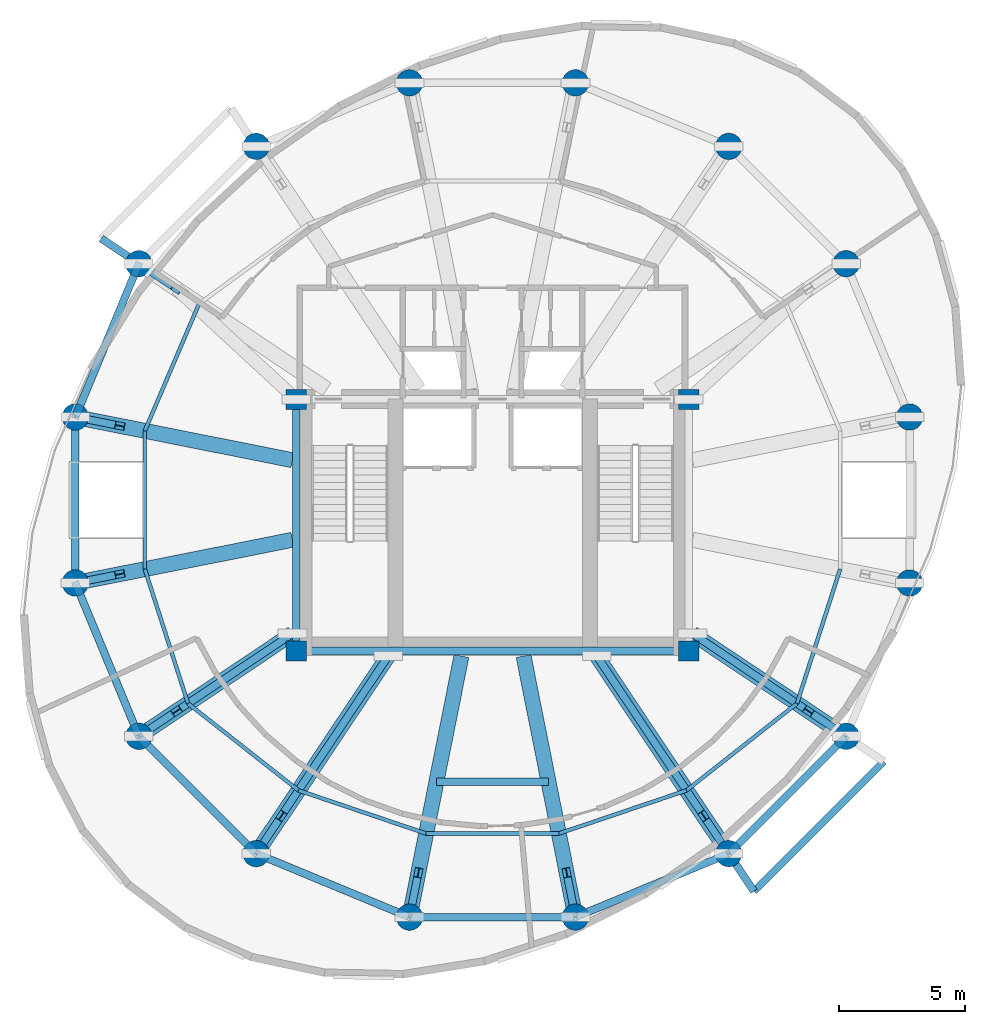
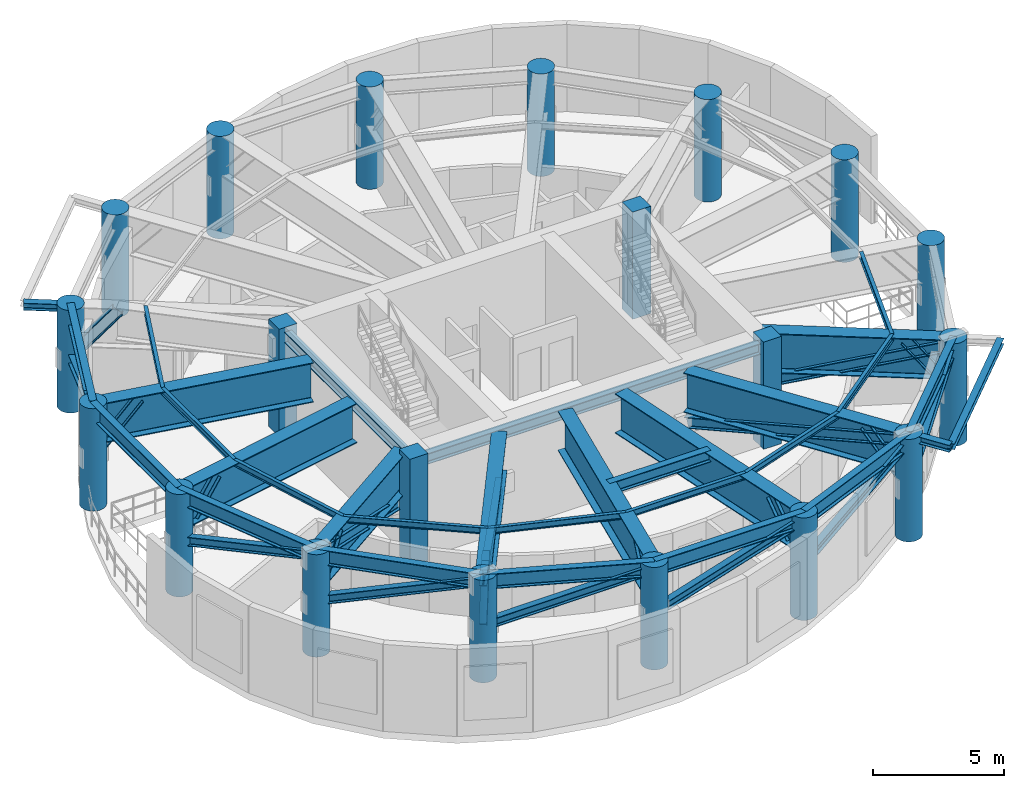
# One storey, part 1 of 7: 31 beams, 20 columns, 20 members.
"""IFC4 building model written with IfcOpenShell, lengths in metres."""

from ifc_helpers import new_model, si_unit, direction, frame, origin, origin_2d, place, context, subcontext, project, spatial, rectangle, circle, i_section, extrude, material, material_profile, profile_set, type_object, element, save


model = new_model("IFC4")

# Units and contexts
model_context = context("Model", 3, precision=1e-05, world=origin(), true_north=direction((0.0, 1.0)))
body_context = subcontext(model_context, "Body", "Model", "MODEL_VIEW")
ifc_project = project(units=[si_unit("LENGTHUNIT", "METRE"), si_unit("AREAUNIT", "SQUARE_METRE"), si_unit("VOLUMEUNIT", "CUBIC_METRE"), si_unit("PLANEANGLEUNIT", "RADIAN"), si_unit("MASSUNIT", "GRAM", prefix="KILO"), si_unit("THERMODYNAMICTEMPERATUREUNIT", "KELVIN"), si_unit("POWERUNIT", "WATT")], contexts=[model_context])

# Site, building, storey
site_placement = place(None, origin())
site = spatial("IfcSite", under=ifc_project, at=site_placement, CompositionType="ELEMENT")
building_placement = place(site_placement, origin())
building = spatial("IfcBuilding", under=site, at=building_placement, Name="Ocrelia Relay Tower", CompositionType="ELEMENT")
storey_placement = place(building_placement, frame((0.0, 0.0, 225.39990234375)))
storey = spatial("IfcBuildingStorey", under=building, at=storey_placement, Name="L55", CompositionType="ELEMENT", Elevation=225.39990234375)

# Columns
ifc_material_1 = material(Name="Concrete C60/75", Category="concrete")
ifc_material_profile_1 = material_profile(ifc_material_1, circle(Radius=0.52490234375, at=origin_2d()), Name="RC-CIR-1050")
ifc_profile_set_1 = profile_set([ifc_material_profile_1], Name="Concrete C60/75")
column_type_1 = type_object("IfcColumnType", Name="COL-CT-1050", PredefinedType="COLUMN", material=ifc_profile_set_1)
for number, where, z_axis, x_axis, name in (
    (1, (50.5751953125, 29.297119140625, 0.0), (0.0, 0.0, 1.0), (1.0, 0.0, 0.0), "L55 Perimeter Ring Column C01"),
    (2, (48.0517578125, 35.38916015625, 0.0), (0.0, 0.0, 1.0), (1.0, 0.0, 0.0), "L55 Perimeter Ring Column C02"),
    (3, (43.38916015625, 40.0517578125, 0.0), (0.0, 0.0, 1.0), (1.0, 0.0, 0.0), "L55 Perimeter Ring Column C03"),
    (4, (37.297119140625, 42.5751953125, 0.0), (0.0, 0.0, 1.0), (1.0, 0.0, 0.0), "L55 Perimeter Ring Column C04"),
    (5, (30.702880859375, 42.5751953125, 0.0), (0.0, 0.0, 1.0), (1.0, 0.0, 0.0), "L55 Perimeter Ring Column C05"),
    (6, (24.61083984375, 40.0517578125, 0.0), (0.0, 0.0, 1.0), (1.0, 0.0, 0.0), "L55 Perimeter Ring Column C06"),
    (7, (19.9482421875, 35.38916015625, 0.0), (0.0, 0.0, 1.0), (1.0, 0.0, 0.0), "L55 Perimeter Ring Column C07"),
    (8, (17.4248046875, 29.297119140625, 0.0), (0.0, 0.0, 1.0), (1.0, 0.0, 0.0), "L55 Perimeter Ring Column C08"),
    (9, (17.4248046875, 22.702880859375, 0.0), (0.0, 0.0, 1.0), (1.0, 0.0, 0.0), "L55 Perimeter Ring Column C09"),
    (10, (19.9482421875, 16.61083984375, 0.0), (0.0, 0.0, 1.0), (1.0, 0.0, 0.0), "L55 Perimeter Ring Column C10"),
    (11, (24.61083984375, 11.9482421875, 0.0), (0.0, 0.0, 1.0), (1.0, 0.0, 0.0), "L55 Perimeter Ring Column C11"),
    (12, (30.702880859375, 9.4248046875, 0.0), (0.0, 0.0, 1.0), (1.0, 0.0, 0.0), "L55 Perimeter Ring Column C12"),
    (13, (37.297119140625, 9.4248046875, 0.0), (0.0, 0.0, 1.0), (1.0, 0.0, 0.0), "L55 Perimeter Ring Column C13"),
    (14, (43.38916015625, 11.9482421875, 0.0), (0.0, 0.0, 1.0), (1.0, 0.0, 0.0), "L55 Perimeter Ring Column C14"),
    (15, (48.0517578125, 16.61083984375, 0.0), (0.0, 0.0, 1.0), (1.0, 0.0, 0.0), "L55 Perimeter Ring Column C15"),
    (16, (50.5751953125, 22.702880859375, 0.0), (0.0, 0.0, 1.0), (1.0, 0.0, 0.0), "L55 Perimeter Ring Column C16"),
):
    element("IfcColumn", number, at=place(storey_placement, frame(where, z_axis=z_axis, x_axis=x_axis)), inside=storey, type_object=column_type_1, Name=name, PredefinedType="COLUMN", context=body_context, shape_type="SweptSolid", body=[
        extrude(circle(Radius=0.52490234375, at=origin_2d()), origin(), (0.0, 0.0, 1.0), 4.780029296875),
    ])
ifc_material_profile_2 = material_profile(ifc_material_1, rectangle(XDim=0.800048828125, YDim=0.800048828125, at=origin_2d()), Name="RC-COL-800x800")
ifc_profile_set_2 = profile_set([ifc_material_profile_2], Name="Concrete C60/75")
column_type_2 = type_object("IfcColumnType", Name="COL-PILASTER-800", PredefinedType="PILASTER", material=ifc_profile_set_2)
for number, where, z_axis, x_axis, name in (
    (17, (26.199951171875, 20.0, 0.0), (0.0, 0.0, 1.0), (1.0, 0.0, 0.0), "L55 Core Corner Pilaster SW"),
    (18, (41.800048828125, 20.0, 0.0), (0.0, 0.0, 1.0), (1.0, 0.0, 0.0), "L55 Core Corner Pilaster SE"),
    (19, (26.199951171875, 30.0, 0.0), (0.0, 0.0, 1.0), (1.0, 0.0, 0.0), "L55 Core Corner Pilaster NW"),
    (20, (41.800048828125, 30.0, 0.0), (0.0, 0.0, 1.0), (1.0, 0.0, 0.0), "L55 Core Corner Pilaster NE"),
):
    element("IfcColumn", number, at=place(storey_placement, frame(where, z_axis=z_axis, x_axis=x_axis)), inside=storey, type_object=column_type_2, Name=name, PredefinedType="PILASTER", context=body_context, shape_type="SweptSolid", body=[
        extrude(rectangle(XDim=0.800048828125, YDim=0.800048828125, at=origin_2d()), origin(), (0.0, 0.0, 1.0), 5.0),
    ])

# Beams
ifc_material_2 = material(Name="Steel S355", Category="steel")
ifc_material_profile_3 = material_profile(ifc_material_2, i_section(OverallWidth=0.280029296875, OverallDepth=0.27001953125, WebThickness=0.008056640625, FlangeThickness=0.012939453125, FilletRadius=0.02392578125, at=origin_2d()), Name="HEA 280")
ifc_profile_set_3 = profile_set([ifc_material_profile_3], Name="Steel S355")
beam_type_1 = type_object("IfcBeamType", Name="BM-HEA280", PredefinedType="BEAM", material=ifc_profile_set_3)
beam_1_placement = place(storey_placement, frame((44.38916015625, 10.45166015625, 4.64501953125), z_axis=(0.707106781187, 0.707106781187, 0.0), x_axis=(-0.707106781187, 0.707106781187, 0.0)))
element("IfcBeam", 21, at=beam_1_placement, inside=storey, type_object=beam_type_1, Name="L56 Balcony Edge Trimmer Beam B2", PredefinedType="BEAM", context=body_context, shape_type="SweptSolid", body=[
    extrude(i_section(OverallWidth=0.280029296875, OverallDepth=0.27001953125, WebThickness=0.008056640625, FlangeThickness=0.012939453125, FilletRadius=0.02392578125, at=origin_2d()), origin(), (0.0, 0.0, 1.0), 7.296142578125),
])
ifc_material_profile_4 = material_profile(ifc_material_2, i_section(OverallWidth=0.300048828125, OverallDepth=0.330078125, WebThickness=0.009521484375, FlangeThickness=0.0166015625, FilletRadius=0.027099609375, at=origin_2d()), Name="HEA 340")
ifc_profile_set_4 = profile_set([ifc_material_profile_4], Name="Steel S355")
beam_type_2 = type_object("IfcBeamType", Name="BM-HEA340", PredefinedType="BEAM", material=ifc_profile_set_4)
for number, where, z_axis, x_axis, name in (
    (22, (19.9482421875, 35.38916015625, 4.614990234375), (-0.83146554274, 0.555576323502, 0.0), (-0.555576323502, -0.83146554274, 0.0), "L56 Balcony Cantilever Beam B1-2"),
    (23, (43.38916015625, 11.9482421875, 4.614990234375), (0.555576323502, -0.83146554274, 0.0), (0.83146554274, 0.555576323502, 0.0), "L56 Balcony Cantilever Beam B2-1"),
):
    element("IfcBeam", number, at=place(storey_placement, frame(where, z_axis=z_axis, x_axis=x_axis)), inside=storey, type_object=beam_type_2, Name=name, PredefinedType="BEAM", context=body_context, shape_type="SweptSolid", body=[
        extrude(i_section(OverallWidth=0.300048828125, OverallDepth=0.330078125, WebThickness=0.009521484375, FlangeThickness=0.0166015625, FilletRadius=0.027099609375, at=origin_2d()), origin(), (0.0, 0.0, 1.0), 1.800048828125),
    ])
ifc_material_profile_5 = material_profile(ifc_material_2, i_section(OverallWidth=0.300048828125, OverallDepth=0.5, WebThickness=0.014404296875, FlangeThickness=0.028076171875, FilletRadius=0.027099609375, at=origin_2d()), Name="HEB 500")
ifc_profile_set_5 = profile_set([ifc_material_profile_5], Name="Steel S355")
beam_type_3 = type_object("IfcBeamType", Name="BM-HEB500", PredefinedType="BEAM", material=ifc_profile_set_5)
beam_2_placement = place(storey_placement, frame((26.199951171875, 20.0, 4.530029296875), z_axis=(1.0, 0.0, 0.0), x_axis=(0.0, 1.0, 0.0)))
element("IfcBeam", 24, at=beam_2_placement, inside=storey, type_object=beam_type_3, Name="L55 Core Pilaster Tie Beam S", PredefinedType="BEAM", context=body_context, shape_type="SweptSolid", body=[
    extrude(i_section(OverallWidth=0.300048828125, OverallDepth=0.5, WebThickness=0.014404296875, FlangeThickness=0.028076171875, FilletRadius=0.027099609375, at=origin_2d()), origin(), (0.0, 0.0, 1.0), 15.60009765625),
])
beam_3_placement = place(storey_placement, frame((26.199951171875, 20.0, 4.530029296875), z_axis=(0.0, 1.0, 0.0), x_axis=(-1.0, 0.0, 0.0)))
element("IfcBeam", 25, at=beam_3_placement, inside=storey, type_object=beam_type_3, Name="L55 Core Pilaster Tie Beam W", PredefinedType="BEAM", context=body_context, shape_type="SweptSolid", body=[
    extrude(i_section(OverallWidth=0.300048828125, OverallDepth=0.5, WebThickness=0.014404296875, FlangeThickness=0.028076171875, FilletRadius=0.027099609375, at=origin_2d()), origin(), (0.0, 0.0, 1.0), 10.0),
])
ifc_material_profile_6 = material_profile(ifc_material_2, i_section(OverallWidth=0.300048828125, OverallDepth=0.550048828125, WebThickness=0.014892578125, FlangeThickness=0.029052734375, FilletRadius=0.027099609375, at=origin_2d()), Name="HEB 550")
ifc_profile_set_6 = profile_set([ifc_material_profile_6], Name="Steel S355")
beam_type_4 = type_object("IfcBeamType", Name="BM-HEB550", PredefinedType="BEAM", material=ifc_profile_set_6)
beam_4_placement = place(storey_placement, frame((31.772216796875, 14.800048828125, 4.505126953125), z_axis=(1.0, 0.0, 0.0), x_axis=(0.0, 1.0, 0.0)))
element("IfcBeam", 26, at=beam_4_placement, inside=storey, type_object=beam_type_4, Name="L55 Atrium South Trimmer Beam", PredefinedType="BEAM", context=body_context, shape_type="SweptSolid", body=[
    extrude(i_section(OverallWidth=0.300048828125, OverallDepth=0.550048828125, WebThickness=0.014892578125, FlangeThickness=0.029052734375, FilletRadius=0.027099609375, at=origin_2d()), origin(), (0.0, 0.0, 1.0), 4.45556640625),
])
ifc_material_profile_7 = material_profile(ifc_material_2, i_section(OverallWidth=0.300048828125, OverallDepth=0.699951171875, WebThickness=0.01708984375, FlangeThickness=0.031982421875, FilletRadius=0.027099609375, at=origin_2d()), Name="HEB 700")
ifc_profile_set_7 = profile_set([ifc_material_profile_7], Name="Steel S355")
beam_type_5 = type_object("IfcBeamType", Name="BM-HEB700", PredefinedType="BEAM", material=ifc_profile_set_7)
beam_5_placement = place(storey_placement, frame((19.9482421875, 35.38916015625, 4.43017578125), z_axis=(-0.382687508402, -0.923877844151, 0.0), x_axis=(0.923877844151, -0.382687508402, 0.0)))
element("IfcBeam", 27, at=beam_5_placement, inside=storey, type_object=beam_type_5, Name="L55 Perimeter Spandrel Beam S07", PredefinedType="BEAM", context=body_context, shape_type="SweptSolid", body=[
    extrude(i_section(OverallWidth=0.300048828125, OverallDepth=0.699951171875, WebThickness=0.01708984375, FlangeThickness=0.031982421875, FilletRadius=0.027099609375, at=origin_2d()), origin(), (0.0, 0.0, 1.0), 6.593994140625),
])
beam_6_placement = place(storey_placement, frame((17.4248046875, 29.297119140625, 4.43017578125), z_axis=(0.0, -1.0, 0.0), x_axis=(1.0, 0.0, 0.0)))
element("IfcBeam", 28, at=beam_6_placement, inside=storey, type_object=beam_type_5, Name="L55 Perimeter Spandrel Beam S08", PredefinedType="BEAM", context=body_context, shape_type="SweptSolid", body=[
    extrude(i_section(OverallWidth=0.300048828125, OverallDepth=0.699951171875, WebThickness=0.01708984375, FlangeThickness=0.031982421875, FilletRadius=0.027099609375, at=origin_2d()), origin(), (0.0, 0.0, 1.0), 6.59423828125),
])
for number, where, z_axis, x_axis, name in (
    (29, (17.4248046875, 22.702880859375, 4.43017578125), (0.382687508402, -0.923877844151, 0.0), (0.923877844151, 0.382687508402, 0.0), "L55 Perimeter Spandrel Beam S09"),
    (30, (19.9482421875, 16.61083984375, 4.43017578125), (0.707106781187, -0.707106781187, 0.0), (0.707106781187, 0.707106781187, 0.0), "L55 Perimeter Spandrel Beam S10"),
    (31, (24.61083984375, 11.9482421875, 4.43017578125), (0.923877844151, -0.382687508402, 0.0), (0.382687508402, 0.923877844151, 0.0), "L55 Perimeter Spandrel Beam S11"),
):
    element("IfcBeam", number, at=place(storey_placement, frame(where, z_axis=z_axis, x_axis=x_axis)), inside=storey, type_object=beam_type_5, Name=name, PredefinedType="BEAM", context=body_context, shape_type="SweptSolid", body=[
        extrude(i_section(OverallWidth=0.300048828125, OverallDepth=0.699951171875, WebThickness=0.01708984375, FlangeThickness=0.031982421875, FilletRadius=0.027099609375, at=origin_2d()), origin(), (0.0, 0.0, 1.0), 6.593994140625),
    ])
beam_7_placement = place(storey_placement, frame((30.702880859375, 9.4248046875, 4.43017578125), z_axis=(1.0, 0.0, 0.0), x_axis=(0.0, 1.0, 0.0)))
element("IfcBeam", 32, at=beam_7_placement, inside=storey, type_object=beam_type_5, Name="L55 Perimeter Spandrel Beam S12", PredefinedType="BEAM", context=body_context, shape_type="SweptSolid", body=[
    extrude(i_section(OverallWidth=0.300048828125, OverallDepth=0.699951171875, WebThickness=0.01708984375, FlangeThickness=0.031982421875, FilletRadius=0.027099609375, at=origin_2d()), origin(), (0.0, 0.0, 1.0), 6.59423828125),
])
for number, where, z_axis, x_axis, name in (
    (33, (37.297119140625, 9.4248046875, 4.43017578125), (0.923877844151, 0.382687508402, 0.0), (-0.382687508402, 0.923877844151, 0.0), "L55 Perimeter Spandrel Beam S13"),
    (34, (43.38916015625, 11.9482421875, 4.43017578125), (0.707106781187, 0.707106781187, 0.0), (-0.707106781187, 0.707106781187, 0.0), "L55 Perimeter Spandrel Beam S14"),
):
    element("IfcBeam", number, at=place(storey_placement, frame(where, z_axis=z_axis, x_axis=x_axis)), inside=storey, type_object=beam_type_5, Name=name, PredefinedType="BEAM", context=body_context, shape_type="SweptSolid", body=[
        extrude(i_section(OverallWidth=0.300048828125, OverallDepth=0.699951171875, WebThickness=0.01708984375, FlangeThickness=0.031982421875, FilletRadius=0.027099609375, at=origin_2d()), origin(), (0.0, 0.0, 1.0), 6.593994140625),
    ])
ifc_material_profile_8 = material_profile(ifc_material_2, i_section(OverallWidth=0.14990234375, OverallDepth=0.300048828125, WebThickness=0.007080078125, FlangeThickness=0.0107421875, FilletRadius=0.014892578125, at=origin_2d()), Name="IPE 300")
ifc_profile_set_8 = profile_set([ifc_material_profile_8], Name="Steel S355")
beam_type_6 = type_object("IfcBeamType", Name="BM-IPE300", PredefinedType="JOIST", material=ifc_profile_set_8)
beam_8_placement = place(storey_placement, frame((22.33740234375, 33.79248046875, 4.630126953125), z_axis=(-0.392484377372, -0.919758671347, 0.0), x_axis=(0.919758671347, -0.392484377372, 0.0)))
element("IfcBeam", 35, at=beam_8_placement, inside=storey, type_object=beam_type_6, Name="L55 Secondary Floor Joist J07", PredefinedType="JOIST", context=body_context, shape_type="SweptSolid", body=[
    extrude(i_section(OverallWidth=0.14990234375, OverallDepth=0.300048828125, WebThickness=0.007080078125, FlangeThickness=0.0107421875, FilletRadius=0.014892578125, at=origin_2d()), origin(), (0.0, 0.0, 1.0), 5.484619140625),
])
beam_9_placement = place(storey_placement, frame((20.184814453125, 28.748046875, 4.630126953125), z_axis=(0.0, -1.0, 0.0), x_axis=(1.0, 0.0, 0.0)))
element("IfcBeam", 36, at=beam_9_placement, inside=storey, type_object=beam_type_6, Name="L55 Secondary Floor Joist J08", PredefinedType="JOIST", context=body_context, shape_type="SweptSolid", body=[
    extrude(i_section(OverallWidth=0.14990234375, OverallDepth=0.300048828125, WebThickness=0.007080078125, FlangeThickness=0.0107421875, FilletRadius=0.014892578125, at=origin_2d()), origin(), (0.0, 0.0, 1.0), 5.49609375),
])
beam_10_placement = place(storey_placement, frame((20.184814453125, 23.251953125, 4.630126953125), z_axis=(0.306136061263, -0.951987768826, 0.0), x_axis=(0.951987768826, 0.306136061263, 0.0)))
element("IfcBeam", 37, at=beam_10_placement, inside=storey, type_object=beam_type_6, Name="L55 Secondary Floor Joist J09", PredefinedType="JOIST", context=body_context, shape_type="SweptSolid", body=[
    extrude(i_section(OverallWidth=0.14990234375, OverallDepth=0.300048828125, WebThickness=0.007080078125, FlangeThickness=0.0107421875, FilletRadius=0.014892578125, at=origin_2d()), origin(), (0.0, 0.0, 1.0), 5.60546875),
])
beam_11_placement = place(storey_placement, frame((21.90087890625, 17.91552734375, 4.630126953125), z_axis=(0.785761381551, -0.618529749699, 0.0), x_axis=(0.618529749699, 0.785761381551, 0.0)))
element("IfcBeam", 38, at=beam_11_placement, inside=storey, type_object=beam_type_6, Name="L55 Secondary Floor Joist J10", PredefinedType="JOIST", context=body_context, shape_type="SweptSolid", body=[
    extrude(i_section(OverallWidth=0.14990234375, OverallDepth=0.300048828125, WebThickness=0.007080078125, FlangeThickness=0.0107421875, FilletRadius=0.014892578125, at=origin_2d()), origin(), (0.0, 0.0, 1.0), 5.58544921875),
])
beam_12_placement = place(storey_placement, frame((26.289794921875, 14.460693359375, 4.630126953125), z_axis=(0.947293036165, -0.320368387381, 0.0), x_axis=(0.320368387381, 0.947293036165, 0.0)))
element("IfcBeam", 39, at=beam_12_placement, inside=storey, type_object=beam_type_6, Name="L55 Secondary Floor Joist J11", PredefinedType="JOIST", context=body_context, shape_type="SweptSolid", body=[
    extrude(i_section(OverallWidth=0.14990234375, OverallDepth=0.300048828125, WebThickness=0.007080078125, FlangeThickness=0.0107421875, FilletRadius=0.014892578125, at=origin_2d()), origin(), (0.0, 0.0, 1.0), 5.355712890625),
])
beam_13_placement = place(storey_placement, frame((31.36328125, 12.744873046875, 4.630126953125), z_axis=(1.0, 0.0, 0.0), x_axis=(0.0, 1.0, 0.0)))
element("IfcBeam", 40, at=beam_13_placement, inside=storey, type_object=beam_type_6, Name="L55 Secondary Floor Joist J12", PredefinedType="JOIST", context=body_context, shape_type="SweptSolid", body=[
    extrude(i_section(OverallWidth=0.14990234375, OverallDepth=0.300048828125, WebThickness=0.007080078125, FlangeThickness=0.0107421875, FilletRadius=0.014892578125, at=origin_2d()), origin(), (0.0, 0.0, 1.0), 5.2734375),
])
beam_14_placement = place(storey_placement, frame((36.63671875, 12.744873046875, 4.630126953125), z_axis=(0.947293036165, 0.320368387381, 0.0), x_axis=(-0.320368387381, 0.947293036165, 0.0)))
element("IfcBeam", 41, at=beam_14_placement, inside=storey, type_object=beam_type_6, Name="L55 Secondary Floor Joist J13", PredefinedType="JOIST", context=body_context, shape_type="SweptSolid", body=[
    extrude(i_section(OverallWidth=0.14990234375, OverallDepth=0.300048828125, WebThickness=0.007080078125, FlangeThickness=0.0107421875, FilletRadius=0.014892578125, at=origin_2d()), origin(), (0.0, 0.0, 1.0), 5.355712890625),
])
beam_15_placement = place(storey_placement, frame((41.710205078125, 14.460693359375, 4.630126953125), z_axis=(0.785761381551, 0.618529749699, 0.0), x_axis=(-0.618529749699, 0.785761381551, 0.0)))
element("IfcBeam", 42, at=beam_15_placement, inside=storey, type_object=beam_type_6, Name="L55 Secondary Floor Joist J14", PredefinedType="JOIST", context=body_context, shape_type="SweptSolid", body=[
    extrude(i_section(OverallWidth=0.14990234375, OverallDepth=0.300048828125, WebThickness=0.007080078125, FlangeThickness=0.0107421875, FilletRadius=0.014892578125, at=origin_2d()), origin(), (0.0, 0.0, 1.0), 5.58544921875),
])
beam_16_placement = place(storey_placement, frame((46.09912109375, 17.91552734375, 4.630126953125), z_axis=(0.306136061263, 0.951987768826, 0.0), x_axis=(-0.951987768826, 0.306136061263, 0.0)))
element("IfcBeam", 43, at=beam_16_placement, inside=storey, type_object=beam_type_6, Name="L55 Secondary Floor Joist J15", PredefinedType="JOIST", context=body_context, shape_type="SweptSolid", body=[
    extrude(i_section(OverallWidth=0.14990234375, OverallDepth=0.300048828125, WebThickness=0.007080078125, FlangeThickness=0.0107421875, FilletRadius=0.014892578125, at=origin_2d()), origin(), (0.0, 0.0, 1.0), 5.60546875),
])
ifc_material_profile_9 = material_profile(ifc_material_2, i_section(OverallWidth=0.60009765625, OverallDepth=1.85009765625, WebThickness=0.028076171875, FlangeThickness=0.0400390625, FilletRadius=0.02001953125, at=origin_2d()), Name="WPG 1850x600")
ifc_profile_set_9 = profile_set([ifc_material_profile_9], Name="Steel S355")
beam_type_7 = type_object("IfcBeamType", Name="BM-WPG1650", PredefinedType="T_BEAM", material=ifc_profile_set_9)
for number, where, z_axis, x_axis, name in (
    (44, (17.4248046875, 29.297119140625, 3.85498046875), (0.980781960461, -0.19510701175, 0.0), (0.19510701175, 0.980781960461, 0.0), "L55 Radial Transfer Girder R08"),
    (45, (17.4248046875, 22.702880859375, 3.85498046875), (0.980781960461, 0.19510701175, 0.0), (-0.19510701175, 0.980781960461, 0.0), "L55 Radial Transfer Girder R09"),
):
    element("IfcBeam", number, at=place(storey_placement, frame(where, z_axis=z_axis, x_axis=x_axis)), inside=storey, type_object=beam_type_7, Name=name, PredefinedType="T_BEAM", context=body_context, shape_type="SweptSolid", body=[
        extrude(i_section(OverallWidth=0.60009765625, OverallDepth=1.85009765625, WebThickness=0.028076171875, FlangeThickness=0.0400390625, FilletRadius=0.02001953125, at=origin_2d()), origin(), (0.0, 0.0, 1.0), 8.794189453125),
    ])
beam_17_placement = place(storey_placement, frame((19.9482421875, 16.61083984375, 3.85498046875), z_axis=(0.831466365034, 0.555575092869, 0.0), x_axis=(-0.555575092869, 0.831466365034, 0.0)))
element("IfcBeam", 46, at=beam_17_placement, inside=storey, type_object=beam_type_7, Name="L55 Radial Transfer Girder R10", PredefinedType="T_BEAM", context=body_context, shape_type="SweptSolid", body=[
    extrude(i_section(OverallWidth=0.60009765625, OverallDepth=1.85009765625, WebThickness=0.028076171875, FlangeThickness=0.0400390625, FilletRadius=0.02001953125, at=origin_2d()), origin(), (0.0, 0.0, 1.0), 7.338623046875),
])
beam_18_placement = place(storey_placement, frame((24.61083984375, 11.9482421875, 3.85498046875), z_axis=(0.555582866279, 0.831461170889, 0.0), x_axis=(-0.831461170889, 0.555582866279, 0.0)))
element("IfcBeam", 47, at=beam_18_placement, inside=storey, type_object=beam_type_7, Name="L55 Radial Transfer Girder R11", PredefinedType="T_BEAM", context=body_context, shape_type="SweptSolid", body=[
    extrude(i_section(OverallWidth=0.60009765625, OverallDepth=1.85009765625, WebThickness=0.028076171875, FlangeThickness=0.0400390625, FilletRadius=0.02001953125, at=origin_2d()), origin(), (0.0, 0.0, 1.0), 9.443359375),
])
for number, where, z_axis, x_axis, name in (
    (48, (30.702880859375, 9.4248046875, 3.85498046875), (0.1951085513, 0.980781654197, 0.0), (-0.980781654197, 0.1951085513, 0.0), "L55 Radial Transfer Girder R12"),
    (49, (37.297119140625, 9.4248046875, 3.85498046875), (-0.1951085513, 0.980781654197, 0.0), (-0.980781654197, -0.1951085513, 0.0), "L55 Radial Transfer Girder R13"),
):
    element("IfcBeam", number, at=place(storey_placement, frame(where, z_axis=z_axis, x_axis=x_axis)), inside=storey, type_object=beam_type_7, Name=name, PredefinedType="T_BEAM", context=body_context, shape_type="SweptSolid", body=[
        extrude(i_section(OverallWidth=0.60009765625, OverallDepth=1.85009765625, WebThickness=0.028076171875, FlangeThickness=0.0400390625, FilletRadius=0.02001953125, at=origin_2d()), origin(), (0.0, 0.0, 1.0), 10.57861328125),
    ])
beam_19_placement = place(storey_placement, frame((43.38916015625, 11.9482421875, 3.85498046875), z_axis=(-0.555582866279, 0.831461170889, 0.0), x_axis=(-0.831461170889, -0.555582866279, 0.0)))
element("IfcBeam", 50, at=beam_19_placement, inside=storey, type_object=beam_type_7, Name="L55 Radial Transfer Girder R14", PredefinedType="T_BEAM", context=body_context, shape_type="SweptSolid", body=[
    extrude(i_section(OverallWidth=0.60009765625, OverallDepth=1.85009765625, WebThickness=0.028076171875, FlangeThickness=0.0400390625, FilletRadius=0.02001953125, at=origin_2d()), origin(), (0.0, 0.0, 1.0), 9.443359375),
])
beam_20_placement = place(storey_placement, frame((48.0517578125, 16.61083984375, 3.85498046875), z_axis=(-0.831466365034, 0.555575092869, 0.0), x_axis=(-0.555575092869, -0.831466365034, 0.0)))
element("IfcBeam", 51, at=beam_20_placement, inside=storey, type_object=beam_type_7, Name="L55 Radial Transfer Girder R15", PredefinedType="T_BEAM", context=body_context, shape_type="SweptSolid", body=[
    extrude(i_section(OverallWidth=0.60009765625, OverallDepth=1.85009765625, WebThickness=0.028076171875, FlangeThickness=0.0400390625, FilletRadius=0.02001953125, at=origin_2d()), origin(), (0.0, 0.0, 1.0), 7.338623046875),
])

# Members
ifc_material_profile_10 = material_profile(ifc_material_2, i_section(OverallWidth=0.300048828125, OverallDepth=0.39990234375, WebThickness=0.013427734375, FlangeThickness=0.02392578125, FilletRadius=0.027099609375, at=origin_2d()), Name="HEB 400")
ifc_profile_set_10 = profile_set([ifc_material_profile_10], Name="Steel S355")
member_type_1 = type_object("IfcMemberType", Name="MB-BELT-DIAG", PredefinedType="BRACE", material=ifc_profile_set_10)
for number, where, z_axis, x_axis, name in (
    (52, (19.9482421875, 35.38916015625, 2.35009765625), (-0.364959668918, -0.881079587704, 0.300837497986), (0.923877844151, -0.382687508402, 0.0), "L55 Perimeter Belt Truss Diagonal B07"),
    (53, (17.4248046875, 22.702880859375, 2.35009765625), (0.364959668918, -0.881079587704, 0.300837497986), (0.923877844151, 0.382687508402, 0.0), "L55 Perimeter Belt Truss Diagonal B09"),
    (54, (19.9482421875, 16.61083984375, 2.35009765625), (0.674349605298, -0.674349605298, 0.30084085439), (0.707106781187, 0.707106781187, 0.0), "L55 Perimeter Belt Truss Diagonal B10"),
    (55, (24.61083984375, 11.9482421875, 2.35009765625), (0.881079587704, -0.364959668918, 0.300837497986), (0.382687508402, 0.923877844151, 0.0), "L55 Perimeter Belt Truss Diagonal B11"),
):
    element("IfcMember", number, at=place(storey_placement, frame(where, z_axis=z_axis, x_axis=x_axis)), inside=storey, type_object=member_type_1, Name=name, PredefinedType="BRACE", context=body_context, shape_type="SweptSolid", body=[
        extrude(i_section(OverallWidth=0.300048828125, OverallDepth=0.39990234375, WebThickness=0.013427734375, FlangeThickness=0.02392578125, FilletRadius=0.027099609375, at=origin_2d()), origin(), (0.0, 0.0, 1.0), 6.914306640625),
    ])
member_1_placement = place(storey_placement, frame((30.702880859375, 9.4248046875, 2.35009765625), z_axis=(0.953678669579, 0.0, 0.300827184925), x_axis=(0.0, 1.0, 0.0)))
element("IfcMember", 56, at=member_1_placement, inside=storey, type_object=member_type_1, Name="L55 Perimeter Belt Truss Diagonal B12", PredefinedType="BRACE", context=body_context, shape_type="SweptSolid", body=[
    extrude(i_section(OverallWidth=0.300048828125, OverallDepth=0.39990234375, WebThickness=0.013427734375, FlangeThickness=0.02392578125, FilletRadius=0.027099609375, at=origin_2d()), origin(), (0.0, 0.0, 1.0), 6.91455078125),
])
for number, where, z_axis, x_axis, name in (
    (57, (37.297119140625, 9.4248046875, 2.35009765625), (0.881079587704, 0.364959668918, 0.300837497986), (-0.382687508402, 0.923877844151, 0.0), "L55 Perimeter Belt Truss Diagonal B13"),
    (58, (43.38916015625, 11.9482421875, 2.35009765625), (0.674349605298, 0.674349605298, 0.30084085439), (-0.707106781187, 0.707106781187, 0.0), "L55 Perimeter Belt Truss Diagonal B14"),
):
    element("IfcMember", number, at=place(storey_placement, frame(where, z_axis=z_axis, x_axis=x_axis)), inside=storey, type_object=member_type_1, Name=name, PredefinedType="BRACE", context=body_context, shape_type="SweptSolid", body=[
        extrude(i_section(OverallWidth=0.300048828125, OverallDepth=0.39990234375, WebThickness=0.013427734375, FlangeThickness=0.02392578125, FilletRadius=0.027099609375, at=origin_2d()), origin(), (0.0, 0.0, 1.0), 6.914306640625),
    ])
ifc_material_profile_11 = material_profile(ifc_material_2, i_section(OverallWidth=0.300048828125, OverallDepth=0.5, WebThickness=0.014404296875, FlangeThickness=0.028076171875, FilletRadius=0.027099609375, at=origin_2d()), Name="HEB 500")
ifc_profile_set_11 = profile_set([ifc_material_profile_11], Name="Steel S355")
member_type_2 = type_object("IfcMemberType", Name="MB-OUTRIGGER-DIAG", PredefinedType="BRACE", material=ifc_profile_set_11)
member_2_placement = place(storey_placement, frame((26.050048828125, 20.68798828125, 2.35009765625), z_axis=(-0.799952977264, -0.534518253924, 0.272700330744), x_axis=(0.555575092869, -0.831466365034, 0.0)))
element("IfcMember", 59, at=member_2_placement, inside=storey, type_object=member_type_2, Name="L55 Core Outrigger Truss Brace O10", PredefinedType="BRACE", context=body_context, shape_type="SweptSolid", body=[
    extrude(i_section(OverallWidth=0.300048828125, OverallDepth=0.5, WebThickness=0.014404296875, FlangeThickness=0.028076171875, FilletRadius=0.027099609375, at=origin_2d()), origin(), (0.0, 0.0, 1.0), 7.627685546875),
])
for number, where, z_axis, x_axis, name in (
    (60, (29.857421875, 19.800048828125, 2.35009765625), (-0.542576365428, -0.811996207004, 0.215111709327), (0.831461170889, -0.555582866279, 0.0), "L55 Core Outrigger Truss Brace O11"),
    (61, (38.142578125, 19.800048828125, 2.35009765625), (0.542576365428, -0.811996207004, 0.215111709327), (0.831461170889, 0.555582866279, 0.0), "L55 Core Outrigger Truss Brace O14"),
):
    element("IfcMember", number, at=place(storey_placement, frame(where, z_axis=z_axis, x_axis=x_axis)), inside=storey, type_object=member_type_2, Name=name, PredefinedType="BRACE", context=body_context, shape_type="SweptSolid", body=[
        extrude(i_section(OverallWidth=0.300048828125, OverallDepth=0.5, WebThickness=0.014404296875, FlangeThickness=0.028076171875, FilletRadius=0.027099609375, at=origin_2d()), origin(), (0.0, 0.0, 1.0), 9.669677734375),
    ])
member_3_placement = place(storey_placement, frame((41.949951171875, 20.68798828125, 2.35009765625), z_axis=(0.799952977264, -0.534518253924, 0.272700330744), x_axis=(0.555575092869, 0.831466365034, 0.0)))
element("IfcMember", 62, at=member_3_placement, inside=storey, type_object=member_type_2, Name="L55 Core Outrigger Truss Brace O15", PredefinedType="BRACE", context=body_context, shape_type="SweptSolid", body=[
    extrude(i_section(OverallWidth=0.300048828125, OverallDepth=0.5, WebThickness=0.014404296875, FlangeThickness=0.028076171875, FilletRadius=0.027099609375, at=origin_2d()), origin(), (0.0, 0.0, 1.0), 7.627685546875),
])
ifc_material_profile_12 = material_profile(ifc_material_2, i_section(OverallWidth=0.300048828125, OverallDepth=0.5, WebThickness=0.014404296875, FlangeThickness=0.028076171875, FilletRadius=0.027099609375, at=origin_2d()), Name="HEB 500")
ifc_profile_set_12 = profile_set([ifc_material_profile_12], Name="Steel S355")
member_type_3 = type_object("IfcMemberType", Name="MB-RAKER-STRUT", PredefinedType="STRUT", material=ifc_profile_set_12)
member_4_placement = place(storey_placement, frame((19.9482421875, 35.38916015625, 2.35009765625), z_axis=(0.529391056498, -0.353733404146, 0.771114640044), x_axis=(0.555576323502, 0.83146554274, 0.0)))
element("IfcMember", 63, at=member_4_placement, inside=storey, type_object=member_type_3, Name="L55 Zone Setback Raker Strut RS07", PredefinedType="STRUT", context=body_context, shape_type="SweptSolid", body=[
    extrude(i_section(OverallWidth=0.300048828125, OverallDepth=0.5, WebThickness=0.014404296875, FlangeThickness=0.028076171875, FilletRadius=0.027099609375, at=origin_2d()), origin(), (0.0, 0.0, 1.0), 2.826904296875),
])
for number, where, z_axis, x_axis, name in (
    (64, (17.4248046875, 29.297119140625, 2.35009765625), (0.624464945514, -0.124271201299, 0.771103235859), (0.19517704197, 0.980768026746, 0.0), "L55 Zone Setback Raker Strut RS08"),
    (65, (17.4248046875, 22.702880859375, 2.35009765625), (0.624464945514, 0.124271201299, 0.771103235859), (-0.19517704197, 0.980768026746, 0.0), "L55 Zone Setback Raker Strut RS09"),
):
    element("IfcMember", number, at=place(storey_placement, frame(where, z_axis=z_axis, x_axis=x_axis)), inside=storey, type_object=member_type_3, Name=name, PredefinedType="STRUT", context=body_context, shape_type="SweptSolid", body=[
        extrude(i_section(OverallWidth=0.300048828125, OverallDepth=0.5, WebThickness=0.014404296875, FlangeThickness=0.028076171875, FilletRadius=0.027099609375, at=origin_2d()), origin(), (0.0, 0.0, 1.0), 2.8271484375),
    ])
for number, where, z_axis, x_axis, name in (
    (66, (19.9482421875, 16.61083984375, 2.35009765625), (0.529391056498, 0.353733404146, 0.771114640044), (-0.555576323502, 0.83146554274, 0.0), "L55 Zone Setback Raker Strut RS10"),
    (67, (24.61083984375, 11.9482421875, 2.35009765625), (0.353733404146, 0.529391056498, 0.771114640044), (-0.83146554274, 0.555576323502, 0.0), "L55 Zone Setback Raker Strut RS11"),
):
    element("IfcMember", number, at=place(storey_placement, frame(where, z_axis=z_axis, x_axis=x_axis)), inside=storey, type_object=member_type_3, Name=name, PredefinedType="STRUT", context=body_context, shape_type="SweptSolid", body=[
        extrude(i_section(OverallWidth=0.300048828125, OverallDepth=0.5, WebThickness=0.014404296875, FlangeThickness=0.028076171875, FilletRadius=0.027099609375, at=origin_2d()), origin(), (0.0, 0.0, 1.0), 2.826904296875),
    ])
for number, where, z_axis, x_axis, name in (
    (68, (30.702880859375, 9.4248046875, 2.35009765625), (0.124271201299, 0.624464945514, 0.771103235859), (-0.980768026746, 0.19517704197, 0.0), "L55 Zone Setback Raker Strut RS12"),
    (69, (37.297119140625, 9.4248046875, 2.35009765625), (-0.124271201299, 0.624464945514, 0.771103235859), (-0.980768026746, -0.19517704197, 0.0), "L55 Zone Setback Raker Strut RS13"),
):
    element("IfcMember", number, at=place(storey_placement, frame(where, z_axis=z_axis, x_axis=x_axis)), inside=storey, type_object=member_type_3, Name=name, PredefinedType="STRUT", context=body_context, shape_type="SweptSolid", body=[
        extrude(i_section(OverallWidth=0.300048828125, OverallDepth=0.5, WebThickness=0.014404296875, FlangeThickness=0.028076171875, FilletRadius=0.027099609375, at=origin_2d()), origin(), (0.0, 0.0, 1.0), 2.8271484375),
    ])
for number, where, z_axis, x_axis, name in (
    (70, (43.38916015625, 11.9482421875, 2.35009765625), (-0.353733404146, 0.529391056498, 0.771114640044), (-0.83146554274, -0.555576323502, 0.0), "L55 Zone Setback Raker Strut RS14"),
    (71, (48.0517578125, 16.61083984375, 2.35009765625), (-0.529391056498, 0.353733404146, 0.771114640044), (-0.555576323502, -0.83146554274, 0.0), "L55 Zone Setback Raker Strut RS15"),
):
    element("IfcMember", number, at=place(storey_placement, frame(where, z_axis=z_axis, x_axis=x_axis)), inside=storey, type_object=member_type_3, Name=name, PredefinedType="STRUT", context=body_context, shape_type="SweptSolid", body=[
        extrude(i_section(OverallWidth=0.300048828125, OverallDepth=0.5, WebThickness=0.014404296875, FlangeThickness=0.028076171875, FilletRadius=0.027099609375, at=origin_2d()), origin(), (0.0, 0.0, 1.0), 2.826904296875),
    ])

save(model, "model.ifc")
